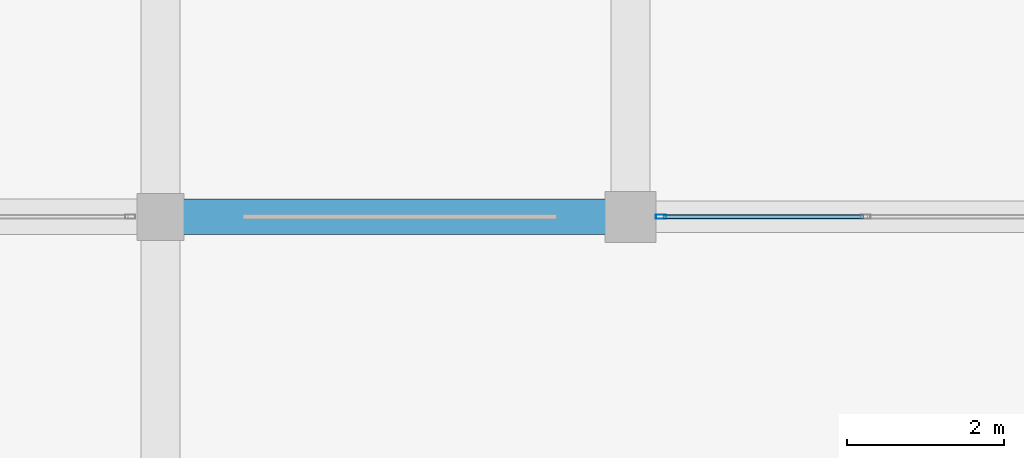
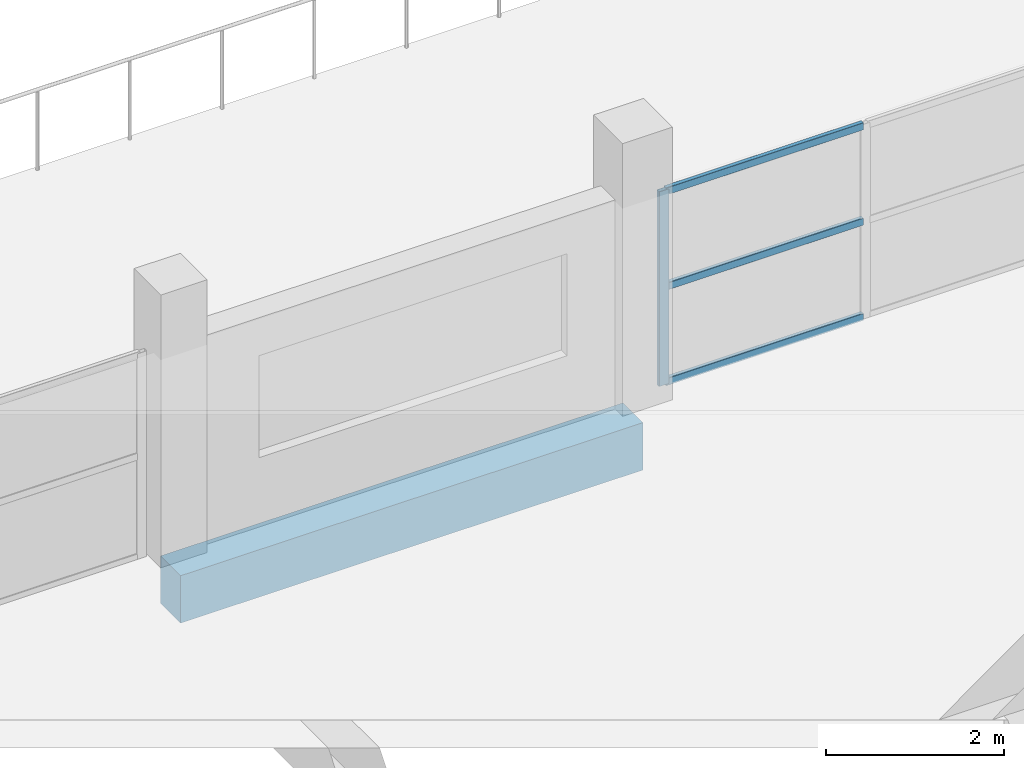
# One storey, part 5 of 19: 4 members, 1 beam, 1 element without a shape of its own.
"""IFC4 building model written with IfcOpenShell, lengths in metres."""

from ifc_helpers import new_model, si_unit, direction, frame, origin, origin_2d, place, context, subcontext, project, spatial, rectangle, hollow_rectangle, extrude, material, layer, layer_set, material_profile, profile_set, type_object, element, aggregate, save


model = new_model("IFC4")

# Units and contexts
model_context = context("Model", 3, precision=1e-05, world=origin(), true_north=direction((0.0, 1.0)))
body_context = subcontext(model_context, "Body", "Model", "MODEL_VIEW")
ifc_project = project(units=[si_unit("LENGTHUNIT", "METRE"), si_unit("AREAUNIT", "SQUARE_METRE"), si_unit("VOLUMEUNIT", "CUBIC_METRE"), si_unit("PLANEANGLEUNIT", "RADIAN"), si_unit("MASSUNIT", "GRAM", prefix="KILO")], contexts=[model_context])

# Site, building, storey
site_placement = place(None, origin())
site = spatial("IfcSite", under=ifc_project, at=site_placement, CompositionType="ELEMENT")
building_placement = place(site_placement, origin())
building = spatial("IfcBuilding", under=site, at=building_placement, Name="Dunvalen Ferry Terminal", CompositionType="ELEMENT")
storey_placement = place(building_placement, frame((0.0, 0.0, 13.580078125)))
storey = spatial("IfcBuildingStorey", under=building, at=storey_placement, Name="L03", CompositionType="ELEMENT", Elevation=13.580078125)

# Curtain wall, members
ifc_material_1 = material(Name="Anodised marine aluminium and solar-control glazing", Category="aluminium")
ifc_layer = layer(ifc_material_1, 0.14990234375, Name="Anodised marine aluminium and solar-control glazing")
ifc_layer_set = layer_set([ifc_layer], Name="Anodised marine aluminium and solar-control glazing")
curtain_wall_type = type_object("IfcCurtainWallType", Name="ENV-CW-SYS-11", PredefinedType="NOTDEFINED", material=ifc_layer_set)
curtain_wall_placement = place(storey_placement, origin())
curtain_wall = element("IfcCurtainWall", 1, at=curtain_wall_placement, inside=storey, type_object=curtain_wall_type, Name="L03 Curtain Wall CW-V5CORE-L03-7-2", PredefinedType="NOTDEFINED")
ifc_material_2 = material(Name="Anodised marine aluminium EN AW-6063 T6", Category="aluminium")
ifc_material_profile_1 = material_profile(ifc_material_2, hollow_rectangle(XDim=0.054931640625, YDim=0.1298828125, WallThickness=0.003173828125, InnerFilletRadius=0.003173828125, OuterFilletRadius=0.00634765625, at=origin_2d()), Name="Anodised marine aluminium EN AW-6063 T6")
ifc_profile_set_1 = profile_set([ifc_material_profile_1], Name="Anodised marine aluminium EN AW-6063 T6")
member_type_1 = type_object("IfcMemberType", Name="ENV-CW-MUL-4", PredefinedType="MULLION", material=ifc_profile_set_1)
member_1_placement = place(storey_placement, frame((42.387451171875, 28.800048828125, 0.0), z_axis=(0.0, 0.0, 1.0), x_axis=(0.0, -1.0, 0.0)))
member_1 = element("IfcMember", 2, at=member_1_placement, type_object=member_type_1, Name="CW-11 mullion 3", PredefinedType="MULLION", context=body_context, shape_type="SweptSolid", body=[
    extrude(hollow_rectangle(XDim=0.054931640625, YDim=0.1298828125, WallThickness=0.003173828125, InnerFilletRadius=0.003173828125, OuterFilletRadius=0.00634765625, at=origin_2d()), origin(), (0.0, 0.0, 1.0), 2.669921875),
])
ifc_material_profile_2 = material_profile(ifc_material_2, hollow_rectangle(XDim=0.054931640625, YDim=0.10009765625, WallThickness=0.0029296875, InnerFilletRadius=0.0029296875, OuterFilletRadius=0.006103515625, at=origin_2d()), Name="Anodised marine aluminium EN AW-6063 T6")
ifc_profile_set_2 = profile_set([ifc_material_profile_2], Name="Anodised marine aluminium EN AW-6063 T6")
member_type_2 = type_object("IfcMemberType", Name="ENV-CW-TRN-4", PredefinedType="USERDEFINED", material=ifc_profile_set_2)
member_2_placement = place(storey_placement, frame((44.972412109375, 28.800048828125, 0.02734375), z_axis=(-1.0, 0.0, 0.0), x_axis=(0.0, -1.0, 0.0)))
member_2 = element("IfcMember", 3, at=member_2_placement, type_object=member_type_2, Name="CW-11 transom 2.1", ObjectType="TRANSOM", PredefinedType="USERDEFINED", context=body_context, shape_type="SweptSolid", body=[
    extrude(hollow_rectangle(XDim=0.054931640625, YDim=0.10009765625, WallThickness=0.0029296875, InnerFilletRadius=0.0029296875, OuterFilletRadius=0.006103515625, at=origin_2d()), origin(), (0.0, 0.0, 1.0), 2.557373046875),
])
member_3_placement = place(storey_placement, frame((44.972412109375, 28.800048828125, 1.3349609375), z_axis=(-1.0, 0.0, 0.0), x_axis=(0.0, -1.0, 0.0)))
member_3 = element("IfcMember", 4, at=member_3_placement, type_object=member_type_2, Name="CW-11 transom 2.2", ObjectType="TRANSOM", PredefinedType="USERDEFINED", context=body_context, shape_type="SweptSolid", body=[
    extrude(hollow_rectangle(XDim=0.054931640625, YDim=0.10009765625, WallThickness=0.0029296875, InnerFilletRadius=0.0029296875, OuterFilletRadius=0.006103515625, at=origin_2d()), origin(), (0.0, 0.0, 1.0), 2.557373046875),
])
member_4_placement = place(storey_placement, frame((44.972412109375, 28.800048828125, 2.642333984375), z_axis=(-1.0, 0.0, 0.0), x_axis=(0.0, -1.0, 0.0)))
member_4 = element("IfcMember", 5, at=member_4_placement, type_object=member_type_2, Name="CW-11 transom 2.3", ObjectType="TRANSOM", PredefinedType="USERDEFINED", context=body_context, shape_type="SweptSolid", body=[
    extrude(hollow_rectangle(XDim=0.054931640625, YDim=0.10009765625, WallThickness=0.0029296875, InnerFilletRadius=0.0029296875, OuterFilletRadius=0.006103515625, at=origin_2d()), origin(), (0.0, 0.0, 1.0), 2.557373046875),
])
aggregate(curtain_wall, [member_1, member_2, member_3, member_4])

# Beam
ifc_material_3 = material(Name="Concrete C40/50", Category="concrete")
ifc_material_profile_3 = material_profile(ifc_material_3, rectangle(XDim=0.449951171875, YDim=0.64990234375, at=origin_2d()), Name="Concrete C40/50")
ifc_profile_set_3 = profile_set([ifc_material_profile_3], Name="Concrete C40/50")
beam_type = type_object("IfcBeamType", Name="STR-BM-RCB650W", PredefinedType="BEAM", material=ifc_profile_set_3)
beam_placement = place(storey_placement, frame((36.0, 28.800048828125, -0.5849609375), z_axis=(1.0, 0.0, 0.0), x_axis=(0.0, 1.0, 0.0)))
element("IfcBeam", 6, at=beam_placement, inside=storey, type_object=beam_type, Name="L03 V5P0 Primary Beam X-029", PredefinedType="BEAM", context=body_context, shape_type="SweptSolid", body=[
    extrude(rectangle(XDim=0.449951171875, YDim=0.64990234375, at=origin_2d()), origin(), (0.0, 0.0, 1.0), 6.0),
])

save(model, "model.ifc")
